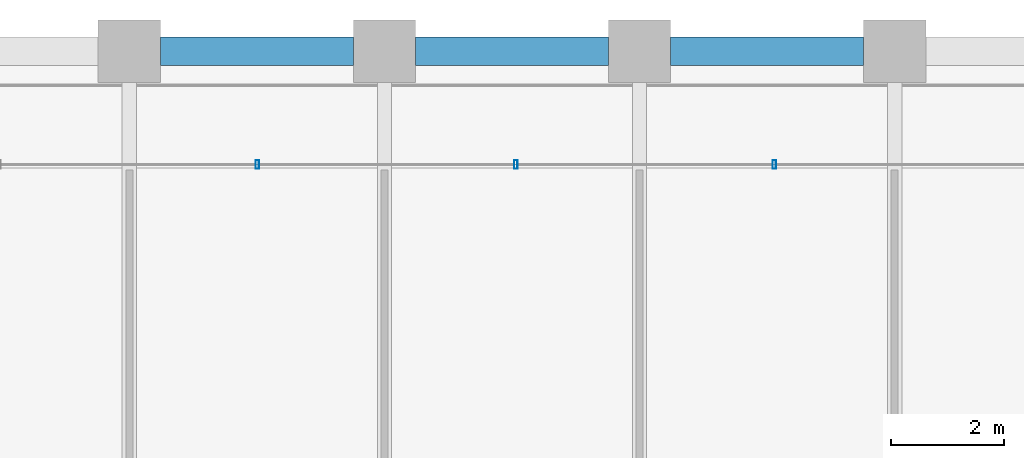
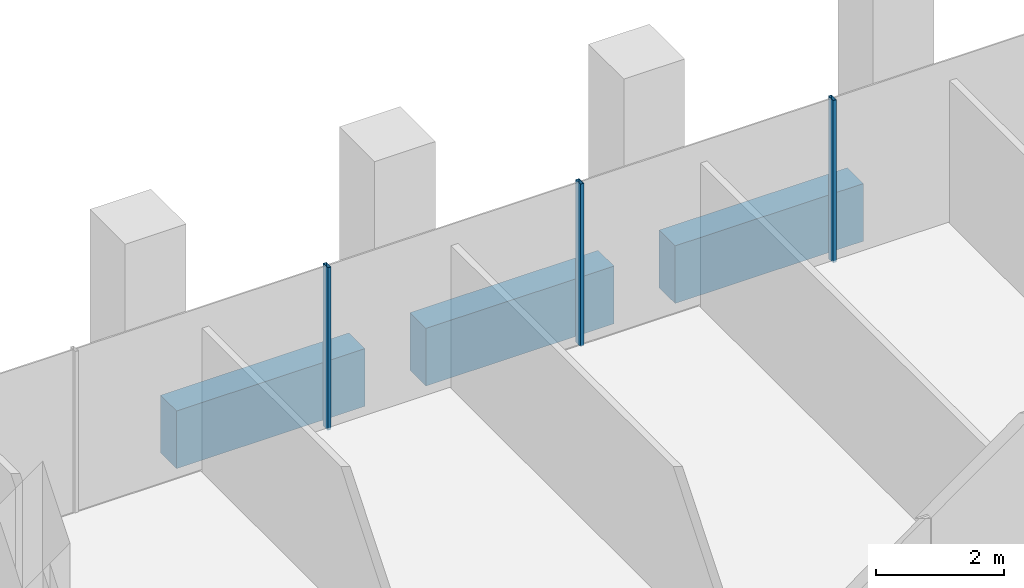
# One storey, part 29 of 56: 3 beams, 3 members, 1 element without a shape of its own.
"""IFC4 building model written with IfcOpenShell, lengths in metres."""

from ifc_helpers import new_model, si_unit, direction, frame, origin, origin_2d, place, context, subcontext, project, spatial, rectangle, hollow_rectangle, extrude, material, material_profile, profile_set, type_object, element, aggregate, save


model = new_model("IFC4")

# Units and contexts
model_context = context("Model", 3, precision=1e-05, world=origin(), true_north=direction((0.0, 1.0)))
body_context = subcontext(model_context, "Body", "Model", "MODEL_VIEW")
ifc_project = project(units=[si_unit("LENGTHUNIT", "METRE"), si_unit("AREAUNIT", "SQUARE_METRE"), si_unit("VOLUMEUNIT", "CUBIC_METRE"), si_unit("PLANEANGLEUNIT", "RADIAN"), si_unit("MASSUNIT", "GRAM", prefix="KILO")], contexts=[model_context])

# Site, building, storey
site_placement = place(None, origin())
site = spatial("IfcSite", under=ifc_project, at=site_placement, CompositionType="ELEMENT")
building_placement = place(site_placement, origin())
building = spatial("IfcBuilding", under=site, at=building_placement, Name="Altepetl Exchange Towers", CompositionType="ELEMENT")
storey_placement = place(building_placement, frame((0.0, 0.0, 51.0)))
storey = spatial("IfcBuildingStorey", under=building, at=storey_placement, Name="L11", CompositionType="ELEMENT", Elevation=51.0)

# Curtain wall, members
ifc_material_1 = material(Name="Aluminium 6063-T6 glazing", Category="aluminium")
curtain_wall_type = type_object("IfcCurtainWallType", Name="Loggia glazing system", PredefinedType="NOTDEFINED", material=ifc_material_1)
curtain_wall_placement = place(storey_placement, origin())
curtain_wall = element("IfcCurtainWall", 1, at=curtain_wall_placement, inside=storey, type_object=curtain_wall_type, Name="CW1 run", PredefinedType="NOTDEFINED")
ifc_material_2 = material(Name="Aluminium 6063-T6", Category="aluminium")
ifc_material_profile_1 = material_profile(ifc_material_2, hollow_rectangle(XDim=0.06005859375, YDim=0.14990234375, WallThickness=0.0029296875, at=origin_2d()), Name="Mullion 60x150 aluminium")
ifc_profile_set_1 = profile_set([ifc_material_profile_1], Name="Aluminium 6063-T6")
member_type = type_object("IfcMemberType", Name="Mullion 60x150 aluminium", PredefinedType="MULLION", material=ifc_profile_set_1)
member_1_placement = place(storey_placement, frame((56.378662109375, 70.0, 0.0), z_axis=(0.0, 0.0, 1.0), x_axis=(-1.0, 0.0, 0.0)))
member_1 = element("IfcMember", 2, at=member_1_placement, type_object=member_type, Name="MU1 mullion", PredefinedType="MULLION", context=body_context, shape_type="SweptSolid", body=[
    extrude(hollow_rectangle(XDim=0.06005859375, YDim=0.14990234375, WallThickness=0.0029296875, at=origin_2d()), origin(), (0.0, 0.0, 1.0), 3.10009765625),
])
member_2_placement = place(storey_placement, frame((51.81787109375, 70.0, 0.0), z_axis=(0.0, 0.0, 1.0), x_axis=(-1.0, 0.0, 0.0)))
member_2 = element("IfcMember", 3, at=member_2_placement, type_object=member_type, Name="MU1 mullion", PredefinedType="MULLION", context=body_context, shape_type="SweptSolid", body=[
    extrude(hollow_rectangle(XDim=0.06005859375, YDim=0.14990234375, WallThickness=0.0029296875, at=origin_2d()), origin(), (0.0, 0.0, 1.0), 3.10009765625),
])
member_3_placement = place(storey_placement, frame((47.257080078125, 70.0, 0.0), z_axis=(0.0, 0.0, 1.0), x_axis=(-1.0, 0.0, 0.0)))
member_3 = element("IfcMember", 4, at=member_3_placement, type_object=member_type, Name="MU1 mullion", PredefinedType="MULLION", context=body_context, shape_type="SweptSolid", body=[
    extrude(hollow_rectangle(XDim=0.06005859375, YDim=0.14990234375, WallThickness=0.0029296875, at=origin_2d()), origin(), (0.0, 0.0, 1.0), 3.10009765625),
])
aggregate(curtain_wall, [member_1, member_2, member_3])

# Beams
ifc_material_3 = material(Name="Concrete C50/60 precast with cantera rosa facing", Category="concrete")
ifc_material_profile_2 = material_profile(ifc_material_3, rectangle(XDim=0.5, YDim=1.10009765625, at=origin_2d()), Name="500 x 1100")
ifc_profile_set_2 = profile_set([ifc_material_profile_2], Name="Concrete C50/60 precast with cantera rosa facing")
beam_type = type_object("IfcBeamType", Name="Spandrel beam 500x1100 cantera rosa", PredefinedType="SPANDREL", material=ifc_profile_set_2)
for number, where, z_axis, x_axis, name in (
    (5, (57.949951171875, 72.0, -0.699951171875), (-1.0, 0.0, 0.0), (0.0, -1.0, 0.0), "sp:A:L11:026"),
    (6, (53.449951171875, 72.0, -0.699951171875), (-1.0, 0.0, 0.0), (0.0, -1.0, 0.0), "sp:A:L11:027"),
    (7, (48.949951171875, 72.0, -0.699951171875), (-1.0, 0.0, 0.0), (0.0, -1.0, 0.0), "sp:A:L11:028"),
):
    element("IfcBeam", number, at=place(storey_placement, frame(where, z_axis=z_axis, x_axis=x_axis)), inside=storey, type_object=beam_type, Name=name, PredefinedType="SPANDREL", context=body_context, shape_type="SweptSolid", body=[
        extrude(rectangle(XDim=0.5, YDim=1.10009765625, at=origin_2d()), origin(), (0.0, 0.0, 1.0), 3.39990234375),
    ])

save(model, "model.ifc")
